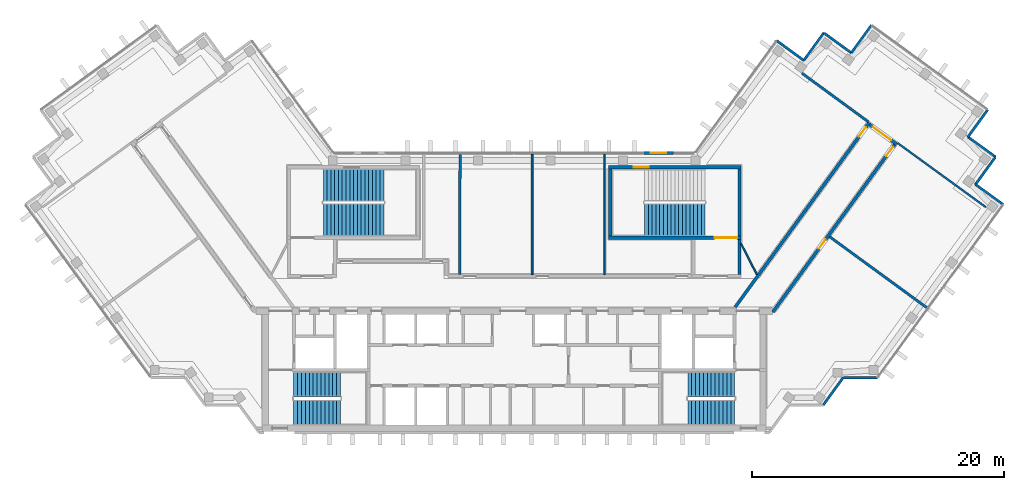
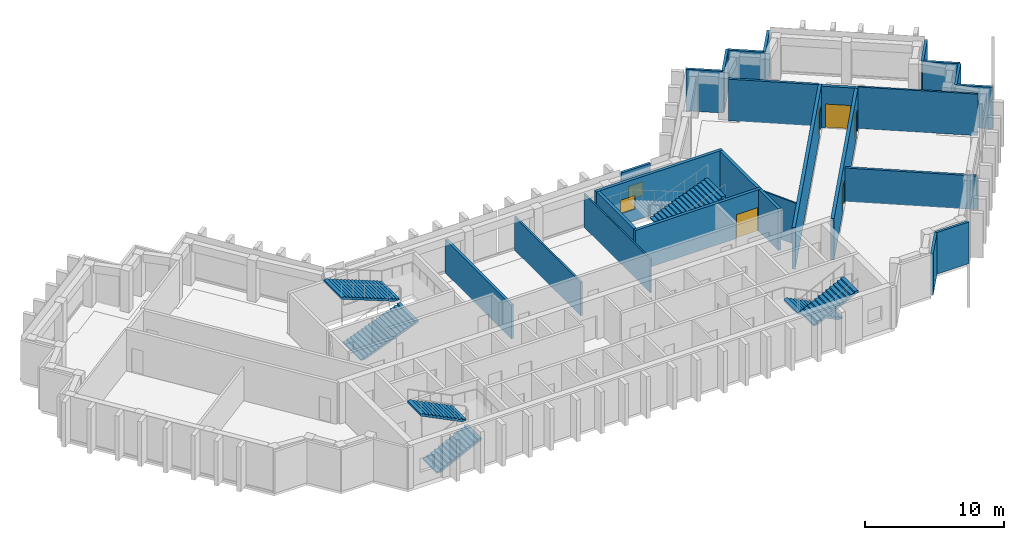
# One storey, part 7 of 10: 26 walls, 7 stair flights, 5 doors, 2 windows, 7 openings, 4 elements without a shape of their own.
"""IFC4 building model written with IfcOpenShell, lengths in metres."""

from ifc_helpers import new_model, si_unit, direction, frame, frame_2d, origin, place, context, subcontext, project, spatial, polyline, rectangle, outline, extrude, material, layer, layer_set, type_object, element, fill, aggregate, save


model = new_model("IFC4")

# Units and contexts
model_context = context("Model", 3, precision=1e-05, world=origin(), true_north=direction((0.0, 1.0)))
body_context = subcontext(model_context, "Body", "Model", "MODEL_VIEW")
ifc_project = project(units=[si_unit("LENGTHUNIT", "METRE"), si_unit("AREAUNIT", "SQUARE_METRE"), si_unit("VOLUMEUNIT", "CUBIC_METRE"), si_unit("PLANEANGLEUNIT", "RADIAN"), si_unit("MASSUNIT", "GRAM", prefix="KILO")], contexts=[model_context])

# Site, building, storey
site_placement = place(None, origin())
site = spatial("IfcSite", under=ifc_project, at=site_placement, CompositionType="ELEMENT")
building_placement = place(site_placement, origin())
building = spatial("IfcBuilding", under=site, at=building_placement, Name="Quipu Civic Tower", CompositionType="ELEMENT")
storey_placement = place(building_placement, frame((0.0, 0.0, 339.0)))
storey = spatial("IfcBuildingStorey", under=building, at=storey_placement, Name="L79", CompositionType="ELEMENT", Elevation=339.0)

# Walls
ifc_material_1 = material(Name="Double gypsum plasterboard with mineral wool")
ifc_layer_1 = layer(ifc_material_1, 0.14990234375)
ifc_layer_set_1 = layer_set([ifc_layer_1], Name="Double gypsum plasterboard with mineral wool")
wall_type_1 = type_object("IfcWallType", Name="Acoustic partition 150 plasterboard", PredefinedType="PARTITIONING", material=ifc_layer_set_1)
wall_1_placement = place(storey_placement, frame((30.414794921875, 11.901611328125, 0.0), z_axis=(0.0, 0.0, 1.0), x_axis=(0.809020922653, -0.587779845444, 0.0)))
element("IfcWall", 1, at=wall_1_placement, inside=storey, type_object=wall_type_1, Name="Partition P01", PredefinedType="PARTITIONING", context=body_context, shape_type="SweptSolid", body=[
    extrude(rectangle(XDim=8.670166015625, YDim=0.14990234375, at=frame_2d((4.3349609375, 0.0))), origin(), (0.0, 0.0, 1.0), 3.64990234375),
])
wall_2_placement = place(storey_placement, frame((1.419921875, 1.449951171875, 0.0), z_axis=(0.0, 0.0, 1.0), x_axis=(0.0, 1.0, 0.0)))
element("IfcWall", 2, at=wall_2_placement, inside=storey, type_object=wall_type_1, Name="Partition P07", PredefinedType="PARTITIONING", context=body_context, shape_type="SweptSolid", body=[
    extrude(rectangle(XDim=9.550048828125, YDim=0.14990234375, at=frame_2d((4.77490234375, 0.0))), origin(), (0.0, 0.0, 1.0), 2.949951171875),
])
ifc_material_2 = material(Name="Fired clay blockwork", Category="masonry")
ifc_layer_2 = layer(ifc_material_2, 0.199951171875)
ifc_layer_set_2 = layer_set([ifc_layer_2], Name="Fired clay blockwork")
wall_type_2 = type_object("IfcWallType", Name="Blockwork wall 200", PredefinedType="SOLIDWALL", material=ifc_layer_set_2)
wall_3_placement = place(storey_placement, frame((22.843505859375, 17.43017578125, 0.0), z_axis=(0.0, 0.0, 1.0), x_axis=(0.80699548015, -0.590557613631, 0.0)))
element("IfcWall", 3, at=wall_3_placement, inside=storey, type_object=wall_type_2, Name="Partition P02", PredefinedType="SOLIDWALL", context=body_context, shape_type="SweptSolid", body=[
    extrude(rectangle(XDim=6.515380859375, YDim=0.199951171875, at=frame_2d((3.2578125, 0.0))), origin(), (0.0, 0.0, 1.0), 3.64990234375),
])
wall_4_placement = place(storey_placement, frame((25.03173828125, 4.459228515625, 0.0), z_axis=(0.0, 0.0, 1.0), x_axis=(0.807602415854, -0.589727342004, 0.0)))
element("IfcWall", 4, at=wall_4_placement, inside=storey, type_object=wall_type_2, Name="Partition P05", PredefinedType="SOLIDWALL", context=body_context, shape_type="SweptSolid", body=[
    extrude(rectangle(XDim=9.6513671875, YDim=0.199951171875, at=frame_2d((4.82568359375, 0.0))), origin(), (0.0, 0.0, 1.0), 2.949951171875),
])
wall_5_placement = place(storey_placement, frame((-4.29638671875, 11.0, 0.0), z_axis=(0.0, 0.0, 1.0), x_axis=(-0.002377476217, -0.999997173799, 0.0)))
element("IfcWall", 5, at=wall_5_placement, inside=storey, type_object=wall_type_2, Name="Partition P06", PredefinedType="SOLIDWALL", context=body_context, shape_type="SweptSolid", body=[
    extrude(rectangle(XDim=9.550048828125, YDim=0.199951171875, at=frame_2d((4.77490234375, 0.0))), origin(), (0.0, 0.0, 1.0), 2.949951171875),
])
ifc_material_3 = material(Name="Concrete C70/85", Category="concrete")
ifc_layer_3 = layer(ifc_material_3, 0.25)
ifc_layer_set_3 = layer_set([ifc_layer_3], Name="Concrete C70/85")
wall_type_3 = type_object("IfcWallType", Name="Core wall 250", PredefinedType="SHEAR", material=ifc_layer_set_3)
wall_6_placement = place(storey_placement, frame((17.875, 1.449951171875, 0.0), z_axis=(0.0, 0.0, 1.0), x_axis=(0.0, 1.0, 0.0)))
element("IfcWall", 6, at=wall_6_placement, inside=storey, type_object=wall_type_3, Name="Core wall", PredefinedType="SHEAR", context=body_context, shape_type="SweptSolid", body=[
    extrude(rectangle(XDim=2.800048828125, YDim=0.25, at=frame_2d((1.39990234375, 0.0))), origin(), (0.0, 0.0, 1.0), 3.64990234375),
])

# Wall, opening, door
wall_7_placement = place(storey_placement, frame((7.5, 4.375, 0.0), z_axis=(0.0, 0.0, 1.0), x_axis=(1.0, 0.0, 0.0)))
wall_7 = element("IfcWall", 7, at=wall_7_placement, inside=storey, type_object=wall_type_3, Name="Core wall", PredefinedType="SHEAR", context=body_context, shape_type="SweptSolid", body=[
    extrude(rectangle(XDim=10.5, YDim=0.25, at=frame_2d((5.25, 0.0))), origin(), (0.0, 0.0, 1.0), 3.64990234375),
])
opening_1_placement = place(wall_7_placement, frame((8.39990234375, 0.0, 0.0)))
opening_1 = element("IfcOpeningElement", 8, at=opening_1_placement, cuts=wall_7, Name="Opening CD-30", PredefinedType="OPENING", context=body_context, shape_type="SweptSolid", body=[
    extrude(rectangle(XDim=1.800048828125, YDim=2.10009765625, at=frame_2d((0.89990234375, 1.050048828125))), frame((0.0, 0.135009765625, 0.0), z_axis=(0.0, -1.0, 0.0), x_axis=(1.0, 0.0, 0.0)), (0.0, 0.0, 1.0), 0.27001953125),
])
ifc_material_4 = material(Name="Fire rated steel door", Category="steel")
door_type_1 = type_object("IfcDoorType", Name="Fire door FD90 double 1800 x 2100", OperationType="NOTDEFINED", PredefinedType="DOOR", material=ifc_material_4)
door_1_placement = place(opening_1_placement, origin())
door_1 = element("IfcDoor", 9, at=door_1_placement, inside=storey, type_object=door_type_1, Name="Door", OperationType="DOUBLE_DOOR_SINGLE_SWING", OverallHeight=2.10009765625, OverallWidth=1.800048828125, PredefinedType="DOOR", context=body_context, shape_type="SweptSolid", body=[
    extrude(rectangle(XDim=1.800048828125, YDim=2.10009765625, at=frame_2d((0.89990234375, 1.050048828125))), frame((0.0, 0.02490234375, 0.0), z_axis=(0.0, -1.0, 0.0), x_axis=(1.0, 0.0, 0.0)), (0.0, 0.0, 1.0), 0.050048828125),
])
fill(opening_1, door_1)

# Walls
for number, where, z_axis, x_axis, name in (
    (10, (7.625, 4.5, 0.0), (0.0, 0.0, 1.0), (0.0, 1.0, 0.0), "Core wall"),
    (11, (17.875, 4.5, 0.0), (0.0, 0.0, 1.0), (0.0, 1.0, 0.0), "Core wall"),
):
    element("IfcWall", number, at=place(storey_placement, frame(where, z_axis=z_axis, x_axis=x_axis)), inside=storey, type_object=wall_type_3, Name=name, PredefinedType="SHEAR", context=body_context, shape_type="SweptSolid", body=[
        extrude(rectangle(XDim=5.35009765625, YDim=0.25, at=frame_2d((2.675048828125, 0.0))), origin(), (0.0, 0.0, 1.0), 3.64990234375),
    ])

# Wall, opening, window
wall_8_placement = place(storey_placement, frame((7.5, 9.97509765625, 0.0), z_axis=(0.0, 0.0, 1.0), x_axis=(1.0, 0.0, 0.0)))
wall_8 = element("IfcWall", 12, at=wall_8_placement, inside=storey, type_object=wall_type_3, Name="Core wall", PredefinedType="SHEAR", context=body_context, shape_type="SweptSolid", body=[
    extrude(rectangle(XDim=10.5, YDim=0.25, at=frame_2d((5.25, 0.0))), origin(), (0.0, 0.0, 1.0), 3.64990234375),
])
opening_2_placement = place(wall_8_placement, frame((2.0, 0.0, 1.0)))
opening_2 = element("IfcOpeningElement", 13, at=opening_2_placement, cuts=wall_8, Name="Opening SV-4", PredefinedType="OPENING", context=body_context, shape_type="SweptSolid", body=[
    extrude(rectangle(XDim=1.199951171875, YDim=1.199951171875, at=frame_2d((0.60009765625, 0.60009765625))), frame((0.0, 0.135009765625, 0.0), z_axis=(0.0, -1.0, 0.0), x_axis=(1.0, 0.0, 0.0)), (0.0, 0.0, 1.0), 0.27001953125),
])
ifc_material_5 = material(Name="Aluminium louvre", Category="aluminium")
window_type_1 = type_object("IfcWindowType", Name="Stair ventilation louvre 1200 x 1200", PartitioningType="SINGLE_PANEL", PredefinedType="WINDOW", material=ifc_material_5)
window_1_placement = place(opening_2_placement, origin())
window_1 = element("IfcWindow", 14, at=window_1_placement, inside=storey, type_object=window_type_1, Name="Stair ventilation opening", OverallHeight=1.199951171875, OverallWidth=1.199951171875, PartitioningType="SINGLE_PANEL", PredefinedType="WINDOW", context=body_context, shape_type="SweptSolid", body=[
    extrude(rectangle(XDim=1.199951171875, YDim=1.199951171875, at=frame_2d((0.60009765625, 0.60009765625))), frame((0.0, 0.030029296875, 0.0), z_axis=(0.0, -1.0, 0.0), x_axis=(1.0, 0.0, 0.0)), (0.0, 0.0, 1.0), 0.06005859375),
])
fill(opening_2, window_1)

# Wall, opening, door
ifc_material_6 = material(Name="Concrete C50/60", Category="concrete")
ifc_layer_4 = layer(ifc_material_6, 0.25)
ifc_layer_set_4 = layer_set([ifc_layer_4], Name="Concrete C50/60")
wall_type_4 = type_object("IfcWallType", Name="Corridor wall 250 concrete", PredefinedType="SOLIDWALL", material=ifc_layer_set_4)
wall_9_placement = place(storey_placement, frame((17.544921875, -1.124755859375, 0.0), z_axis=(0.0, 0.0, 1.0), x_axis=(0.58779555165, 0.809009511354, 0.0)))
wall_9 = element("IfcWall", 15, at=wall_9_placement, inside=storey, type_object=wall_type_4, Name="Corridor wall C01", PredefinedType="SOLIDWALL", context=body_context, shape_type="SweptSolid", body=[
    extrude(rectangle(XDim=18.10302734375, YDim=0.25, at=frame_2d((9.051513671875, 0.0))), origin(), (0.0, 0.0, 1.0), 3.64990234375),
])
opening_3_placement = place(wall_9_placement, frame((16.72802734375, 0.0, 0.0)))
opening_3 = element("IfcOpeningElement", 16, at=opening_3_placement, cuts=wall_9, Name="Opening D001", PredefinedType="OPENING", context=body_context, shape_type="SweptSolid", body=[
    extrude(rectangle(XDim=0.89990234375, YDim=2.10009765625, at=frame_2d((0.449951171875, 1.050048828125))), frame((0.0, 0.135009765625, 0.0), z_axis=(0.0, -1.0, 0.0), x_axis=(1.0, 0.0, 0.0)), (0.0, 0.0, 1.0), 0.27001953125),
])
ifc_material_7 = material(Name="Fire rated timber door set with metal frame", Category="wood")
door_type_2 = type_object("IfcDoorType", Name="Single door 900 x 2100 FD60", OperationType="NOTDEFINED", PredefinedType="DOOR", material=ifc_material_7)
door_2_placement = place(opening_3_placement, origin())
door_2 = element("IfcDoor", 17, at=door_2_placement, inside=storey, type_object=door_type_2, Name="Door D001", OperationType="SINGLE_SWING_RIGHT", OverallHeight=2.10009765625, OverallWidth=0.89990234375, PredefinedType="DOOR", context=body_context, shape_type="SweptSolid", body=[
    extrude(rectangle(XDim=0.89990234375, YDim=2.10009765625, at=frame_2d((0.449951171875, 1.050048828125))), frame((0.0, 0.02490234375, 0.0), z_axis=(0.0, -1.0, 0.0), x_axis=(1.0, 0.0, 0.0)), (0.0, 0.0, 1.0), 0.050048828125),
])
fill(opening_3, door_2)

wall_10_placement = place(storey_placement, frame((28.21337890625, 13.34619140625, 0.0), z_axis=(0.0, 0.0, 1.0), x_axis=(0.809006914995, -0.587799125119, 0.0)))
wall_10 = element("IfcWall", 18, at=wall_10_placement, inside=storey, type_object=wall_type_4, Name="Corridor wall C02", PredefinedType="SOLIDWALL", context=body_context, shape_type="SweptSolid", body=[
    extrude(rectangle(XDim=2.64990234375, YDim=0.25, at=frame_2d((1.324951171875, 0.0))), origin(), (0.0, 0.0, 1.0), 3.64990234375),
])
opening_4_placement = place(wall_10_placement, frame((0.30029296875, 0.0, 0.0)))
opening_4 = element("IfcOpeningElement", 19, at=opening_4_placement, cuts=wall_10, Name="Opening D004", PredefinedType="OPENING", context=body_context, shape_type="SweptSolid", body=[
    extrude(rectangle(XDim=1.800048828125, YDim=2.10009765625, at=frame_2d((0.89990234375, 1.050048828125))), frame((0.0, 0.135009765625, 0.0), z_axis=(0.0, -1.0, 0.0), x_axis=(1.0, 0.0, 0.0)), (0.0, 0.0, 1.0), 0.27001953125),
])
ifc_material_8 = material(Name="Fire rated timber door set with metal frame", Category="wood")
door_type_3 = type_object("IfcDoorType", Name="Double door 1800 x 2100 FD60", OperationType="DOUBLE_DOOR_SINGLE_SWING", PredefinedType="DOOR", material=ifc_material_8)
door_3_placement = place(opening_4_placement, origin())
door_3 = element("IfcDoor", 20, at=door_3_placement, inside=storey, type_object=door_type_3, Name="Door D004", OperationType="DOUBLE_DOOR_SINGLE_SWING", OverallHeight=2.10009765625, OverallWidth=1.800048828125, PredefinedType="DOOR", context=body_context, shape_type="SweptSolid", body=[
    extrude(rectangle(XDim=1.800048828125, YDim=2.10009765625, at=frame_2d((0.89990234375, 1.050048828125))), frame((0.0, 0.02490234375, 0.0), z_axis=(0.0, -1.0, 0.0), x_axis=(1.0, 0.0, 0.0)), (0.0, 0.0, 1.0), 0.050048828125),
])
fill(opening_4, door_3)

# Wall, openings, doors
wall_11_placement = place(storey_placement, frame((30.1826171875, 11.760986328125, 0.0), z_axis=(0.0, 0.0, 1.0), x_axis=(-0.587781762867, -0.80901952958, 0.0)))
wall_11 = element("IfcWall", 21, at=wall_11_placement, inside=storey, type_object=wall_type_4, Name="Corridor wall C03", PredefinedType="SOLIDWALL", context=body_context, shape_type="SweptSolid", body=[
    extrude(rectangle(XDim=16.42041015625, YDim=0.25, at=frame_2d((8.210205078125, 0.0))), origin(), (0.0, 0.0, 1.0), 3.64990234375),
])
opening_5_placement = place(wall_11_placement, frame((0.224609375, 0.0, 0.0)))
opening_5 = element("IfcOpeningElement", 22, at=opening_5_placement, cuts=wall_11, Name="Opening D003", PredefinedType="OPENING", context=body_context, shape_type="SweptSolid", body=[
    extrude(rectangle(XDim=0.89990234375, YDim=2.10009765625, at=frame_2d((0.449951171875, 1.050048828125))), frame((0.0, 0.135009765625, 0.0), z_axis=(0.0, -1.0, 0.0), x_axis=(1.0, 0.0, 0.0)), (0.0, 0.0, 1.0), 0.27001953125),
])
opening_6_placement = place(wall_11_placement, frame((9.304443359375, 0.0, 0.0)))
opening_6 = element("IfcOpeningElement", 23, at=opening_6_placement, cuts=wall_11, Name="Opening D002", PredefinedType="OPENING", context=body_context, shape_type="SweptSolid", body=[
    extrude(rectangle(XDim=0.89990234375, YDim=2.10009765625, at=frame_2d((0.449951171875, 1.050048828125))), frame((0.0, 0.135009765625, 0.0), z_axis=(0.0, -1.0, 0.0), x_axis=(1.0, 0.0, 0.0)), (0.0, 0.0, 1.0), 0.27001953125),
])
door_4_placement = place(opening_5_placement, origin())
door_4 = element("IfcDoor", 24, at=door_4_placement, inside=storey, type_object=door_type_2, Name="Door D003", OperationType="SINGLE_SWING_LEFT", OverallHeight=2.10009765625, OverallWidth=0.89990234375, PredefinedType="DOOR", context=body_context, shape_type="SweptSolid", body=[
    extrude(rectangle(XDim=0.89990234375, YDim=2.10009765625, at=frame_2d((0.449951171875, 1.050048828125))), frame((0.0, 0.02490234375, 0.0), z_axis=(0.0, -1.0, 0.0), x_axis=(1.0, 0.0, 0.0)), (0.0, 0.0, 1.0), 0.050048828125),
])
fill(opening_5, door_4)
door_5_placement = place(opening_6_placement, origin())
door_5 = element("IfcDoor", 25, at=door_5_placement, inside=storey, type_object=door_type_2, Name="Door D002", OperationType="SINGLE_SWING_LEFT", OverallHeight=2.10009765625, OverallWidth=0.89990234375, PredefinedType="DOOR", context=body_context, shape_type="SweptSolid", body=[
    extrude(rectangle(XDim=0.89990234375, YDim=2.10009765625, at=frame_2d((0.449951171875, 1.050048828125))), frame((0.0, 0.02490234375, 0.0), z_axis=(0.0, -1.0, 0.0), x_axis=(1.0, 0.0, 0.0)), (0.0, 0.0, 1.0), 0.050048828125),
])
fill(opening_6, door_5)

# Walls
ifc_material_9 = material(Name="Gypsum plasterboard on light gauge framing")
ifc_layer_5 = layer(ifc_material_9, 0.1201171875)
ifc_layer_set_5 = layer_set([ifc_layer_5], Name="Gypsum plasterboard on light gauge framing")
wall_type_5 = type_object("IfcWallType", Name="Partition 120 plasterboard", PredefinedType="PARTITIONING", material=ifc_layer_set_5)
wall_12_placement = place(storey_placement, frame((7.177978515625, 1.449951171875, 0.0), z_axis=(0.0, 0.0, 1.0), x_axis=(0.0, 1.0, 0.0)))
element("IfcWall", 26, at=wall_12_placement, inside=storey, type_object=wall_type_5, Name="Partition P10", PredefinedType="PARTITIONING", context=body_context, shape_type="SweptSolid", body=[
    extrude(rectangle(XDim=9.550048828125, YDim=0.1201171875, at=frame_2d((4.77490234375, 0.0))), origin(), (0.0, 0.0, 1.0), 2.949951171875),
])
wall_13_placement = place(storey_placement, frame((18.0, 3.925048828125, 0.0), z_axis=(0.0, 0.0, 1.0), x_axis=(0.453950796792, -0.891026752736, 0.0)))
element("IfcWall", 27, at=wall_13_placement, inside=storey, type_object=wall_type_5, Name="Partition P11", PredefinedType="PARTITIONING", context=body_context, shape_type="SweptSolid", body=[
    extrude(rectangle(XDim=2.77783203125, YDim=0.1201171875, at=frame_2d((1.388916015625, 0.0))), origin(), (0.0, 0.0, 1.0), 3.64990234375),
])
ifc_material_10 = material(Name="Precast concrete C40/50", Category="concrete")
wall_type_6 = type_object("IfcWallType", Name="Precast cladding wall", PredefinedType="SOLIDWALL", material=ifc_material_10)
wall_14_placement = place(storey_placement, frame((36.0048828125, 12.3515625, 0.0), z_axis=(0.0, 0.0, 1.0), x_axis=(0.587762999008, 0.809033161865, 0.0)))
element("IfcWall", 28, at=wall_14_placement, inside=storey, type_object=wall_type_6, Name="Precast cladding wall L79 P21", PredefinedType="SOLIDWALL", context=body_context, shape_type="SweptSolid", body=[
    extrude(rectangle(XDim=2.699951171875, YDim=0.199951171875, at=frame_2d((1.35009765625, 0.0))), origin(), (0.0, 0.0, 1.0), 3.64990234375),
])
for number, where, z_axis, x_axis, name in (
    (29, (28.3544921875, 21.247314453125, 0.0), (0.0, 0.0, 1.0), (-0.587720002413, -0.809064397168, 0.0), "Precast cladding wall L79 P23"),
    (30, (26.78466796875, 19.03564453125, 0.0), (0.0, 0.0, 1.0), (-0.809064397168, 0.587720002413, 0.0), "Precast cladding wall L79 P24"),
):
    element("IfcWall", number, at=place(storey_placement, frame(where, z_axis=z_axis, x_axis=x_axis)), inside=storey, type_object=wall_type_6, Name=name, PredefinedType="SOLIDWALL", context=body_context, shape_type="SweptSolid", body=[
        extrude(rectangle(XDim=2.7001953125, YDim=0.199951171875, at=frame_2d((1.35009765625, 0.0))), origin(), (0.0, 0.0, 1.0), 3.64990234375),
    ])
for number, where, z_axis, x_axis, name in (
    (31, (24.583251953125, 20.64990234375, 0.0), (0.0, 0.0, 1.0), (-0.587762999008, -0.809033161865, 0.0), "Precast cladding wall L79 P25"),
    (32, (23.01318359375, 18.438232421875, 0.0), (0.0, 0.0, 1.0), (-0.808990163075, 0.587822180636, 0.0), "Precast cladding wall L79 P26"),
):
    element("IfcWall", number, at=place(storey_placement, frame(where, z_axis=z_axis, x_axis=x_axis)), inside=storey, type_object=wall_type_6, Name=name, PredefinedType="SOLIDWALL", context=body_context, shape_type="SweptSolid", body=[
        extrude(rectangle(XDim=2.699951171875, YDim=0.199951171875, at=frame_2d((1.35009765625, 0.0))), origin(), (0.0, 0.0, 1.0), 3.64990234375),
    ])

# Wall, opening, window
wall_15_placement = place(storey_placement, frame((12.655029296875, 11.10009765625, 0.0), z_axis=(0.0, 0.0, 1.0), x_axis=(-1.0, 0.0, 0.0)))
wall_15 = element("IfcWall", 33, at=wall_15_placement, inside=storey, type_object=wall_type_6, Name="Vent surround SF-L77-2", PredefinedType="SOLIDWALL", context=body_context, shape_type="SweptSolid", body=[
    extrude(rectangle(XDim=2.3916015625, YDim=0.199951171875, at=frame_2d((1.19580078125, 0.0))), origin(), (0.0, 0.0, 1.0), 3.64990234375),
])
opening_7_placement = place(wall_15_placement, frame((0.595703125, 0.0, 1.0)))
opening_7 = element("IfcOpeningElement", 34, at=opening_7_placement, cuts=wall_15, Name="Opening SF-L77-2", PredefinedType="OPENING", context=body_context, shape_type="SweptSolid", body=[
    extrude(rectangle(XDim=1.199951171875, YDim=1.199951171875, at=frame_2d((0.60009765625, 0.60009765625))), frame((0.0, 0.10986328125, 0.0), z_axis=(0.0, -1.0, 0.0), x_axis=(1.0, 0.0, 0.0)), (0.0, 0.0, 1.0), 0.219970703125),
])
ifc_material_11 = material(Name="Anodised aluminium louvre", Category="aluminium")
window_type_2 = type_object("IfcWindowType", Name="Stair vent louvre window P3", PartitioningType="SINGLE_PANEL", PredefinedType="WINDOW", material=ifc_material_11)
window_2_placement = place(opening_7_placement, origin())
window_2 = element("IfcWindow", 35, at=window_2_placement, inside=storey, type_object=window_type_2, Name="Stair vent louvre SF-L77-2", OverallHeight=1.199951171875, OverallWidth=1.199951171875, PartitioningType="SINGLE_PANEL", PredefinedType="WINDOW", context=body_context, shape_type="SweptSolid", body=[
    extrude(rectangle(XDim=1.199951171875, YDim=1.199951171875, at=frame_2d((0.60009765625, 0.60009765625))), frame((0.0, 0.030029296875, 0.0), z_axis=(0.0, -1.0, 0.0), x_axis=(1.0, 0.0, 0.0)), (0.0, 0.0, 1.0), 0.06005859375),
])
fill(opening_7, window_2)

# Walls
wall_16_placement = place(storey_placement, frame((24.533203125, -8.90869140625, 0.0), z_axis=(0.0, 0.0, 1.0), x_axis=(0.587720002413, 0.809064397168, 0.0)))
element("IfcWall", 36, at=wall_16_placement, inside=storey, type_object=wall_type_6, Name="Precast cladding wall L79 P34", PredefinedType="SOLIDWALL", context=body_context, shape_type="SweptSolid", body=[
    extrude(rectangle(XDim=2.7001953125, YDim=0.199951171875, at=frame_2d((1.35009765625, 0.0))), origin(), (0.0, 0.0, 1.0), 3.64990234375),
])
for number, where, z_axis, x_axis, name in (
    (37, (26.1298828125, -6.71923828125, 0.0), (0.0, 0.0, 1.0), (1.0, 0.0, 0.0), "Precast cladding wall L79 P35"),
    (38, (38.813720703125, 7.010498046875, 0.0), (0.0, 0.0, 1.0), (-0.809033161865, 0.587762999008, 0.0), "Precast cladding wall L79 1"),
    (39, (36.60205078125, 8.580322265625, 0.0), (0.0, 0.0, 1.0), (0.587822180636, 0.808990163075, 0.0), "Precast cladding wall L79 2"),
    (40, (38.21630859375, 10.78173828125, 0.0), (0.0, 0.0, 1.0), (-0.809033161865, 0.587762999008, 0.0), "Precast cladding wall L79 3"),
):
    element("IfcWall", number, at=place(storey_placement, frame(where, z_axis=z_axis, x_axis=x_axis)), inside=storey, type_object=wall_type_6, Name=name, PredefinedType="SOLIDWALL", context=body_context, shape_type="SweptSolid", body=[
        extrude(rectangle(XDim=2.699951171875, YDim=0.199951171875, at=frame_2d((1.35009765625, 0.0))), origin(), (0.0, 0.0, 1.0), 3.64990234375),
    ])

# Stair, stair flights
ifc_material_12 = material(Name="Concrete C40/50", Category="concrete")
stair_type_1 = type_object("IfcStairType", Name="Half turn stair 2000", PredefinedType="HALF_TURN_STAIR", material=ifc_material_12)
stair_1_placement = place(storey_placement, origin())
stair_1 = element("IfcStair", 41, at=stair_1_placement, inside=storey, type_object=stair_type_1, Name="Exit stair 1", PredefinedType="HALF_TURN_STAIR")
ifc_material_13 = material(Name="Concrete C40/50", Category="concrete")
stair_flight_type_1 = type_object("IfcStairFlightType", Name="Stair flight 2000", PredefinedType="STRAIGHT", material=ifc_material_13)
stair_flight_1_placement = place(storey_placement, frame((-17.5, -9.5, 0.0), z_axis=(0.0, 0.0, 1.0), x_axis=(1.0, 0.0, 0.0)))
stair_flight_1 = element("IfcStairFlight", 42, at=stair_flight_1_placement, type_object=stair_flight_type_1, Name="ST-1 flight 1", NumberOfRisers=13, NumberOfTreads=12, PredefinedType="STRAIGHT", RiserHeight=0.153846154, TreadLength=0.31, context=body_context, shape_type="SweptSolid", body=[
    extrude(outline(polyline([(0.0, 0.0), (0.0, 0.15380859375), (0.31005859375, 0.15380859375), (0.31005859375, 0.3076171875), (0.6201171875, 0.3076171875), (0.6201171875, 0.46142578125), (0.929931640625, 0.46142578125), (0.929931640625, 0.615478515625), (1.239990234375, 0.615478515625), (1.239990234375, 0.769287109375), (1.550048828125, 0.769287109375), (1.550048828125, 0.923095703125), (1.860107421875, 0.923095703125), (1.860107421875, 1.076904296875), (2.169921875, 1.076904296875), (2.169921875, 1.230712890625), (2.47998046875, 1.230712890625), (2.47998046875, 1.384521484375), (2.7900390625, 1.384521484375), (2.7900390625, 1.53857421875), (3.10009765625, 1.53857421875), (3.10009765625, 1.6923828125), (3.409912109375, 1.6923828125), (3.409912109375, 1.84619140625), (3.719970703125, 1.84619140625), (3.719970703125, 2.0), (3.719970703125, 1.6787109375), (0.337158203125, 0.0), (0.0, 0.0)])), frame((0.0, 1.0, 0.0), z_axis=(0.0, -1.0, 0.0), x_axis=(1.0, 0.0, 0.0)), (0.0, 0.0, 1.0), 2.0),
])
stair_flight_2_placement = place(storey_placement, frame((-13.780029296875, -7.25, 2.0), z_axis=(0.0, 0.0, 1.0), x_axis=(-1.0, 0.0, 0.0)))
stair_flight_2 = element("IfcStairFlight", 43, at=stair_flight_2_placement, type_object=stair_flight_type_1, Name="ST-1 flight 2", NumberOfRisers=13, NumberOfTreads=12, PredefinedType="STRAIGHT", RiserHeight=0.153846154, TreadLength=0.31, context=body_context, shape_type="SweptSolid", body=[
    extrude(outline(polyline([(0.0, 0.0), (0.0, 0.15380859375), (0.31005859375, 0.15380859375), (0.31005859375, 0.3076171875), (0.6201171875, 0.3076171875), (0.6201171875, 0.46142578125), (0.929931640625, 0.46142578125), (0.929931640625, 0.615478515625), (1.239990234375, 0.615478515625), (1.239990234375, 0.769287109375), (1.550048828125, 0.769287109375), (1.550048828125, 0.923095703125), (1.860107421875, 0.923095703125), (1.860107421875, 1.076904296875), (2.169921875, 1.076904296875), (2.169921875, 1.230712890625), (2.47998046875, 1.230712890625), (2.47998046875, 1.384521484375), (2.7900390625, 1.384521484375), (2.7900390625, 1.53857421875), (3.10009765625, 1.53857421875), (3.10009765625, 1.6923828125), (3.409912109375, 1.6923828125), (3.409912109375, 1.84619140625), (3.719970703125, 1.84619140625), (3.719970703125, 2.0), (3.719970703125, 1.6787109375), (0.337158203125, 0.0), (0.0, 0.0)])), frame((0.0, 1.0, 0.0), z_axis=(0.0, -1.0, 0.0), x_axis=(1.0, 0.0, 0.0)), (0.0, 0.0, 1.0), 2.0),
])
aggregate(stair_1, [stair_flight_1, stair_flight_2])

stair_2_placement = place(storey_placement, origin())
stair_2 = element("IfcStair", 44, at=stair_2_placement, inside=storey, type_object=stair_type_1, Name="Exit stair 2", PredefinedType="HALF_TURN_STAIR")
stair_flight_3_placement = place(storey_placement, frame((17.5, -7.25, 0.0), z_axis=(0.0, 0.0, 1.0), x_axis=(-1.0, 0.0, 0.0)))
stair_flight_3 = element("IfcStairFlight", 45, at=stair_flight_3_placement, type_object=stair_flight_type_1, Name="ST-2 flight 1", NumberOfRisers=13, NumberOfTreads=12, PredefinedType="STRAIGHT", RiserHeight=0.153846154, TreadLength=0.31, context=body_context, shape_type="SweptSolid", body=[
    extrude(outline(polyline([(0.0, 0.0), (0.0, 0.15380859375), (0.31005859375, 0.15380859375), (0.31005859375, 0.3076171875), (0.6201171875, 0.3076171875), (0.6201171875, 0.46142578125), (0.929931640625, 0.46142578125), (0.929931640625, 0.615478515625), (1.239990234375, 0.615478515625), (1.239990234375, 0.769287109375), (1.550048828125, 0.769287109375), (1.550048828125, 0.923095703125), (1.860107421875, 0.923095703125), (1.860107421875, 1.076904296875), (2.169921875, 1.076904296875), (2.169921875, 1.230712890625), (2.47998046875, 1.230712890625), (2.47998046875, 1.384521484375), (2.7900390625, 1.384521484375), (2.7900390625, 1.53857421875), (3.10009765625, 1.53857421875), (3.10009765625, 1.6923828125), (3.409912109375, 1.6923828125), (3.409912109375, 1.84619140625), (3.719970703125, 1.84619140625), (3.719970703125, 2.0), (3.719970703125, 1.6787109375), (0.337158203125, 0.0), (0.0, 0.0)])), frame((0.0, 1.0, 0.0), z_axis=(0.0, -1.0, 0.0), x_axis=(1.0, 0.0, 0.0)), (0.0, 0.0, 1.0), 2.0),
])
stair_flight_4_placement = place(storey_placement, frame((13.780029296875, -9.5, 2.0), z_axis=(0.0, 0.0, 1.0), x_axis=(1.0, 0.0, 0.0)))
stair_flight_4 = element("IfcStairFlight", 46, at=stair_flight_4_placement, type_object=stair_flight_type_1, Name="ST-2 flight 2", NumberOfRisers=13, NumberOfTreads=12, PredefinedType="STRAIGHT", RiserHeight=0.153846154, TreadLength=0.31, context=body_context, shape_type="SweptSolid", body=[
    extrude(outline(polyline([(0.0, 0.0), (0.0, 0.15380859375), (0.31005859375, 0.15380859375), (0.31005859375, 0.3076171875), (0.6201171875, 0.3076171875), (0.6201171875, 0.46142578125), (0.929931640625, 0.46142578125), (0.929931640625, 0.615478515625), (1.239990234375, 0.615478515625), (1.239990234375, 0.769287109375), (1.550048828125, 0.769287109375), (1.550048828125, 0.923095703125), (1.860107421875, 0.923095703125), (1.860107421875, 1.076904296875), (2.169921875, 1.076904296875), (2.169921875, 1.230712890625), (2.47998046875, 1.230712890625), (2.47998046875, 1.384521484375), (2.7900390625, 1.384521484375), (2.7900390625, 1.53857421875), (3.10009765625, 1.53857421875), (3.10009765625, 1.6923828125), (3.409912109375, 1.6923828125), (3.409912109375, 1.84619140625), (3.719970703125, 1.84619140625), (3.719970703125, 2.0), (3.719970703125, 1.6787109375), (0.337158203125, 0.0), (0.0, 0.0)])), frame((0.0, 1.0, 0.0), z_axis=(0.0, -1.0, 0.0), x_axis=(1.0, 0.0, 0.0)), (0.0, 0.0, 1.0), 2.0),
])
aggregate(stair_2, [stair_flight_3, stair_flight_4])

ifc_material_14 = material(Name="Concrete C40/50", Category="concrete")
stair_type_2 = type_object("IfcStairType", Name="Half turn stair 2600", PredefinedType="HALF_TURN_STAIR", material=ifc_material_14)
stair_3_placement = place(storey_placement, origin())
stair_3 = element("IfcStair", 47, at=stair_3_placement, inside=storey, type_object=stair_type_2, Name="Exit stair 3", PredefinedType="HALF_TURN_STAIR")
ifc_material_15 = material(Name="Concrete C40/50", Category="concrete")
stair_flight_type_2 = type_object("IfcStairFlightType", Name="Stair flight 2600", PredefinedType="STRAIGHT", material=ifc_material_15)
stair_flight_5_placement = place(storey_placement, frame((-15.14990234375, 5.800048828125, 0.0), z_axis=(0.0, 0.0, 1.0), x_axis=(1.0, 0.0, 0.0)))
stair_flight_5 = element("IfcStairFlight", 48, at=stair_flight_5_placement, type_object=stair_flight_type_2, Name="ST-3 flight 1", NumberOfRisers=17, NumberOfTreads=16, PredefinedType="STRAIGHT", RiserHeight=0.117647059, TreadLength=0.3, context=body_context, shape_type="SweptSolid", body=[
    extrude(outline(polyline([(0.0, 0.0), (0.0, 0.11767578125), (0.300048828125, 0.11767578125), (0.300048828125, 0.2353515625), (0.60009765625, 0.2353515625), (0.60009765625, 0.35302734375), (0.89990234375, 0.35302734375), (0.89990234375, 0.470703125), (1.199951171875, 0.470703125), (1.199951171875, 0.588134765625), (1.5, 0.588134765625), (1.5, 0.705810546875), (1.800048828125, 0.705810546875), (1.800048828125, 0.823486328125), (2.10009765625, 0.823486328125), (2.10009765625, 0.941162109375), (2.39990234375, 0.941162109375), (2.39990234375, 1.058837890625), (2.699951171875, 1.058837890625), (2.699951171875, 1.176513671875), (3.0, 1.176513671875), (3.0, 1.294189453125), (3.300048828125, 1.294189453125), (3.300048828125, 1.411865234375), (3.60009765625, 1.411865234375), (3.60009765625, 1.529296875), (3.89990234375, 1.529296875), (3.89990234375, 1.64697265625), (4.199951171875, 1.64697265625), (4.199951171875, 1.7646484375), (4.5, 1.7646484375), (4.5, 1.88232421875), (4.800048828125, 1.88232421875), (4.800048828125, 2.0), (4.800048828125, 1.721435546875), (0.41064453125, 0.0), (0.0, 0.0)])), frame((0.0, 1.300048828125, 0.0), z_axis=(0.0, -1.0, 0.0), x_axis=(1.0, 0.0, 0.0)), (0.0, 0.0, 1.0), 2.60009765625),
])
stair_flight_6_placement = place(storey_placement, frame((-10.35009765625, 8.550048828125, 2.0), z_axis=(0.0, 0.0, 1.0), x_axis=(-1.0, 0.0, 0.0)))
stair_flight_6 = element("IfcStairFlight", 49, at=stair_flight_6_placement, type_object=stair_flight_type_2, Name="ST-3 flight 2", NumberOfRisers=17, NumberOfTreads=16, PredefinedType="STRAIGHT", RiserHeight=0.117647059, TreadLength=0.3, context=body_context, shape_type="SweptSolid", body=[
    extrude(outline(polyline([(0.0, 0.0), (0.0, 0.11767578125), (0.300048828125, 0.11767578125), (0.300048828125, 0.2353515625), (0.60009765625, 0.2353515625), (0.60009765625, 0.35302734375), (0.89990234375, 0.35302734375), (0.89990234375, 0.470703125), (1.199951171875, 0.470703125), (1.199951171875, 0.588134765625), (1.5, 0.588134765625), (1.5, 0.705810546875), (1.800048828125, 0.705810546875), (1.800048828125, 0.823486328125), (2.10009765625, 0.823486328125), (2.10009765625, 0.941162109375), (2.39990234375, 0.941162109375), (2.39990234375, 1.058837890625), (2.699951171875, 1.058837890625), (2.699951171875, 1.176513671875), (3.0, 1.176513671875), (3.0, 1.294189453125), (3.300048828125, 1.294189453125), (3.300048828125, 1.411865234375), (3.60009765625, 1.411865234375), (3.60009765625, 1.529296875), (3.89990234375, 1.529296875), (3.89990234375, 1.64697265625), (4.199951171875, 1.64697265625), (4.199951171875, 1.7646484375), (4.5, 1.7646484375), (4.5, 1.88232421875), (4.800048828125, 1.88232421875), (4.800048828125, 2.0), (4.800048828125, 1.721435546875), (0.41064453125, 0.0), (0.0, 0.0)])), frame((0.0, 1.300048828125, 0.0), z_axis=(0.0, -1.0, 0.0), x_axis=(1.0, 0.0, 0.0)), (0.0, 0.0, 1.0), 2.60009765625),
])
aggregate(stair_3, [stair_flight_5, stair_flight_6])

# Stair, stair flight
stair_4_placement = place(storey_placement, origin())
stair_4 = element("IfcStair", 50, at=stair_4_placement, inside=storey, type_object=stair_type_2, Name="Exit stair 4", PredefinedType="HALF_TURN_STAIR")
stair_flight_7_placement = place(storey_placement, frame((10.35009765625, 5.800048828125, 2.0), z_axis=(0.0, 0.0, 1.0), x_axis=(1.0, 0.0, 0.0)))
stair_flight_7 = element("IfcStairFlight", 51, at=stair_flight_7_placement, type_object=stair_flight_type_2, Name="ST-4 flight 2", NumberOfRisers=17, NumberOfTreads=16, PredefinedType="STRAIGHT", RiserHeight=0.117647059, TreadLength=0.3, context=body_context, shape_type="SweptSolid", body=[
    extrude(outline(polyline([(0.0, 0.0), (0.0, 0.11767578125), (0.300048828125, 0.11767578125), (0.300048828125, 0.2353515625), (0.60009765625, 0.2353515625), (0.60009765625, 0.35302734375), (0.89990234375, 0.35302734375), (0.89990234375, 0.470703125), (1.199951171875, 0.470703125), (1.199951171875, 0.588134765625), (1.5, 0.588134765625), (1.5, 0.705810546875), (1.800048828125, 0.705810546875), (1.800048828125, 0.823486328125), (2.10009765625, 0.823486328125), (2.10009765625, 0.941162109375), (2.39990234375, 0.941162109375), (2.39990234375, 1.058837890625), (2.699951171875, 1.058837890625), (2.699951171875, 1.176513671875), (3.0, 1.176513671875), (3.0, 1.294189453125), (3.300048828125, 1.294189453125), (3.300048828125, 1.411865234375), (3.60009765625, 1.411865234375), (3.60009765625, 1.529296875), (3.89990234375, 1.529296875), (3.89990234375, 1.64697265625), (4.199951171875, 1.64697265625), (4.199951171875, 1.7646484375), (4.5, 1.7646484375), (4.5, 1.88232421875), (4.800048828125, 1.88232421875), (4.800048828125, 2.0), (4.800048828125, 1.721435546875), (0.41064453125, 0.0), (0.0, 0.0)])), frame((0.0, 1.300048828125, 0.0), z_axis=(0.0, -1.0, 0.0), x_axis=(1.0, 0.0, 0.0)), (0.0, 0.0, 1.0), 2.60009765625),
])
aggregate(stair_4, [stair_flight_7])

save(model, "model.ifc")
